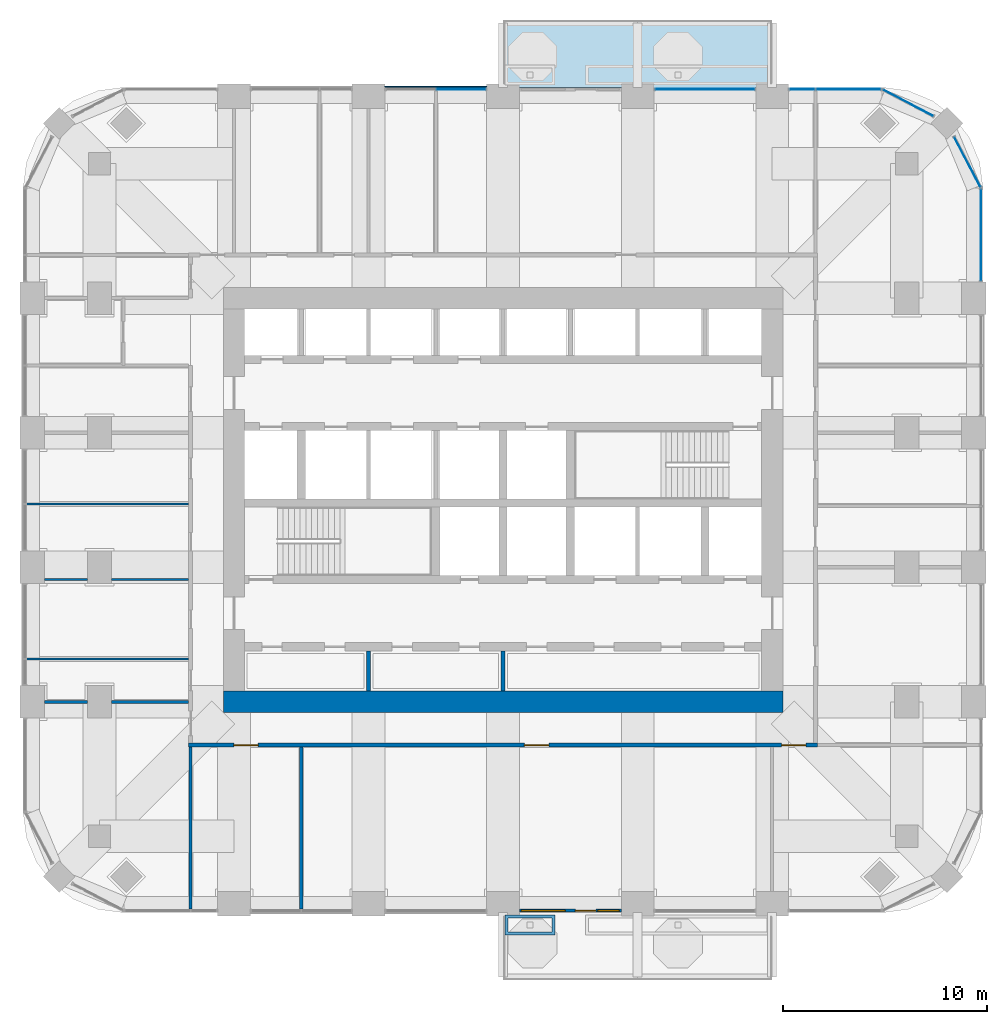
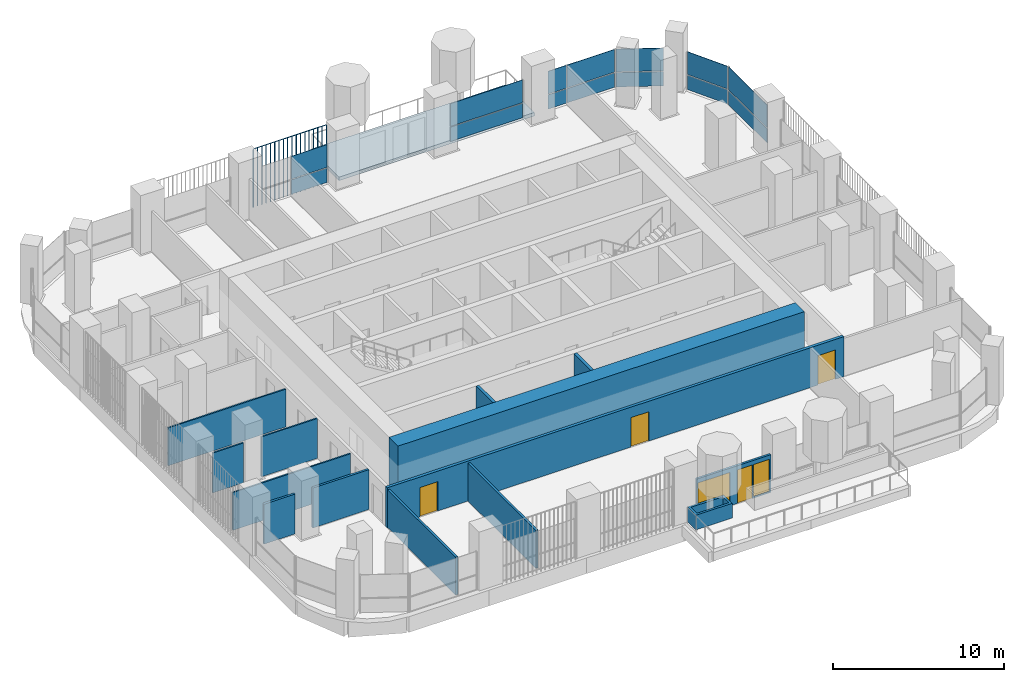
# One storey, part 12 of 19: 15 plates, 14 walls, 4 doors, 2 windows, 1 slab, 6 openings, 6 elements without a shape of their own.
"""IFC4 building model written with IfcOpenShell, lengths in metres."""

from ifc_helpers import new_model, si_unit, direction, frame, frame_2d, origin, origin_2d, place, context, subcontext, project, spatial, polyline, rectangle, outline, extrude, material, layer, layer_set, type_object, element, fill, aggregate, save


model = new_model("IFC4")

# Units and contexts
model_context = context("Model", 3, precision=1e-05, world=origin(), true_north=direction((0.0, 1.0)))
body_context = subcontext(model_context, "Body", "Model", "MODEL_VIEW")
ifc_project = project(units=[si_unit("LENGTHUNIT", "METRE"), si_unit("AREAUNIT", "SQUARE_METRE"), si_unit("VOLUMEUNIT", "CUBIC_METRE"), si_unit("PLANEANGLEUNIT", "RADIAN"), si_unit("MASSUNIT", "GRAM", prefix="KILO")], contexts=[model_context])

# Site, building, storey
site_placement = place(None, origin())
site = spatial("IfcSite", under=ifc_project, at=site_placement, CompositionType="ELEMENT")
building_placement = place(site_placement, origin())
building = spatial("IfcBuilding", under=site, at=building_placement, Name="Cobogo Forest Laboratory Tower", CompositionType="ELEMENT")
storey_placement = place(building_placement, frame((0.0, 0.0, 206.10009765625)))
storey = spatial("IfcBuildingStorey", under=building, at=storey_placement, Name="L47", CompositionType="ELEMENT", Elevation=206.10009765625)

# Slab
ifc_material_1 = material(Name="Concrete HA-40 (C40/50)", Category="concrete")
ifc_layer_1 = layer(ifc_material_1, 0.25)
ifc_layer_set_1 = layer_set([ifc_layer_1], Name="Balcony slab 250")
slab_type = type_object("IfcSlabType", Name="Balcony slab 250", PredefinedType="FLOOR", material=ifc_layer_set_1)
slab_placement = place(storey_placement, frame((0.0, 0.0, -0.25)))
element("IfcSlab", 1, at=slab_placement, inside=storey, type_object=slab_type, Name="Balcony BAL-N1 L47", PredefinedType="FLOOR", context=body_context, shape_type="SweptSolid", body=[
    extrude(outline(polyline([(26.39990234375, 43.35009765625), (39.60009765625, 43.35009765625), (39.60009765625, 46.64990234375), (26.39990234375, 46.64990234375), (26.39990234375, 43.35009765625)])), origin(), (0.0, 0.0, 1.0), 0.25),
])

# Curtain wall, plates
ifc_material_2 = material(Name="Aluminium curtain wall", Category="aluminium")
curtain_wall_type = type_object("IfcCurtainWallType", Name="CW-2 unitised curtain wall, solar control glazing, laboratory floors zones C and D", PredefinedType="USERDEFINED", material=ifc_material_2)
curtain_wall_1_placement = place(storey_placement, origin())
curtain_wall_1 = element("IfcCurtainWall", 2, at=curtain_wall_1_placement, inside=storey, type_object=curtain_wall_type, Name="Curtain wall 13 L47", ObjectType="UNITISED CURTAIN WALL", PredefinedType="USERDEFINED")
ifc_material_3 = material(Name="Solar control insulated glass", Category="glass")
ifc_layer_2 = layer(ifc_material_3, 0.031982421875)
ifc_layer_set_2 = layer_set([ifc_layer_2], Name="GP-2 solar control glass unit 32")
plate_type_1 = type_object("IfcPlateType", Name="GP-2 solar control glass unit 32", PredefinedType="CURTAIN_PANEL", material=ifc_layer_set_2)
plate_1_placement = place(storey_placement, frame((49.85009765625, 36.10009765625, 0.0), z_axis=(0.0, 0.0, 1.0), x_axis=(0.0, 1.0, 0.0)))
plate_1 = element("IfcPlate", 3, at=plate_1_placement, type_object=plate_type_1, Name="CW-2 panel 1.1", PredefinedType="CURTAIN_PANEL", context=body_context, shape_type="SweptSolid", body=[
    extrude(rectangle(XDim=4.47998046875, YDim=0.031982421875, at=origin_2d()), origin(), (0.0, 0.0, 1.0), 1.02001953125),
])
plate_2_placement = place(storey_placement, frame((49.85009765625, 36.10009765625, 1.079833984375), z_axis=(0.0, 0.0, 1.0), x_axis=(0.0, 1.0, 0.0)))
plate_2 = element("IfcPlate", 4, at=plate_2_placement, type_object=plate_type_1, Name="CW-2 panel 1.2", PredefinedType="CURTAIN_PANEL", context=body_context, shape_type="SweptSolid", body=[
    extrude(rectangle(XDim=4.47998046875, YDim=0.031982421875, at=origin_2d()), origin(), (0.0, 0.0, 1.0), 1.6201171875),
])
aggregate(curtain_wall_1, [plate_1, plate_2])

curtain_wall_2_placement = place(storey_placement, origin())
curtain_wall_2 = element("IfcCurtainWall", 5, at=curtain_wall_2_placement, inside=storey, type_object=curtain_wall_type, Name="Curtain wall 14 L47", ObjectType="UNITISED CURTAIN WALL", PredefinedType="USERDEFINED")
plate_3_placement = place(storey_placement, frame((49.181396484375, 39.675537109375, 0.0), z_axis=(0.0, 0.0, 1.0), x_axis=(-0.464283804832, 0.885686484356, 0.0)))
plate_3 = element("IfcPlate", 6, at=plate_3_placement, type_object=plate_type_1, Name="CW-2 panel 1.1", PredefinedType="CURTAIN_PANEL", context=body_context, shape_type="SweptSolid", body=[
    extrude(rectangle(XDim=2.76025390625, YDim=0.031982421875, at=origin_2d()), origin(), (0.0, 0.0, 1.0), 1.02001953125),
])
plate_4_placement = place(storey_placement, frame((49.181396484375, 39.675537109375, 1.079833984375), z_axis=(0.0, 0.0, 1.0), x_axis=(-0.464283804832, 0.885686484356, 0.0)))
plate_4 = element("IfcPlate", 7, at=plate_4_placement, type_object=plate_type_1, Name="CW-2 panel 1.2", PredefinedType="CURTAIN_PANEL", context=body_context, shape_type="SweptSolid", body=[
    extrude(rectangle(XDim=2.76025390625, YDim=0.031982421875, at=origin_2d()), origin(), (0.0, 0.0, 1.0), 1.6201171875),
])
aggregate(curtain_wall_2, [plate_3, plate_4])

curtain_wall_3_placement = place(storey_placement, origin())
curtain_wall_3 = element("IfcCurtainWall", 8, at=curtain_wall_3_placement, inside=storey, type_object=curtain_wall_type, Name="Curtain wall 15 L47", ObjectType="UNITISED CURTAIN WALL", PredefinedType="USERDEFINED")
plate_5_placement = place(storey_placement, frame((46.275634765625, 42.581298828125, 0.0), z_axis=(0.0, 0.0, 1.0), x_axis=(-0.885686484356, 0.464283804832, 0.0)))
plate_5 = element("IfcPlate", 9, at=plate_5_placement, type_object=plate_type_1, Name="CW-2 panel 1.1", PredefinedType="CURTAIN_PANEL", context=body_context, shape_type="SweptSolid", body=[
    extrude(rectangle(XDim=2.76025390625, YDim=0.031982421875, at=origin_2d()), origin(), (0.0, 0.0, 1.0), 1.02001953125),
])
plate_6_placement = place(storey_placement, frame((46.275634765625, 42.581298828125, 1.079833984375), z_axis=(0.0, 0.0, 1.0), x_axis=(-0.885686484356, 0.464283804832, 0.0)))
plate_6 = element("IfcPlate", 10, at=plate_6_placement, type_object=plate_type_1, Name="CW-2 panel 1.2", PredefinedType="CURTAIN_PANEL", context=body_context, shape_type="SweptSolid", body=[
    extrude(rectangle(XDim=2.76025390625, YDim=0.031982421875, at=origin_2d()), origin(), (0.0, 0.0, 1.0), 1.6201171875),
])
aggregate(curtain_wall_3, [plate_5, plate_6])

curtain_wall_4_placement = place(storey_placement, origin())
curtain_wall_4 = element("IfcCurtainWall", 11, at=curtain_wall_4_placement, inside=storey, type_object=curtain_wall_type, Name="Curtain wall 16 L47", ObjectType="UNITISED CURTAIN WALL", PredefinedType="USERDEFINED")
plate_7_placement = place(storey_placement, frame((43.347412109375, 43.25, 0.0), z_axis=(0.0, 0.0, 1.0), x_axis=(-1.0, 0.0, 0.0)))
plate_7 = element("IfcPlate", 12, at=plate_7_placement, type_object=plate_type_1, Name="CW-2 panel 1.1", PredefinedType="CURTAIN_PANEL", context=body_context, shape_type="SweptSolid", body=[
    extrude(rectangle(XDim=3.18505859375, YDim=0.031982421875, at=origin_2d()), origin(), (0.0, 0.0, 1.0), 1.02001953125),
])
plate_8_placement = place(storey_placement, frame((43.347412109375, 43.25, 1.079833984375), z_axis=(0.0, 0.0, 1.0), x_axis=(-1.0, 0.0, 0.0)))
plate_8 = element("IfcPlate", 13, at=plate_8_placement, type_object=plate_type_1, Name="CW-2 panel 1.2", PredefinedType="CURTAIN_PANEL", context=body_context, shape_type="SweptSolid", body=[
    extrude(rectangle(XDim=3.18505859375, YDim=0.031982421875, at=origin_2d()), origin(), (0.0, 0.0, 1.0), 1.6201171875),
])
plate_9_placement = place(storey_placement, frame((41.077392578125, 43.25, 0.0), z_axis=(0.0, 0.0, 1.0), x_axis=(-1.0, 0.0, 0.0)))
plate_9 = element("IfcPlate", 14, at=plate_9_placement, type_object=plate_type_1, Name="CW-2 panel 2.1", PredefinedType="CURTAIN_PANEL", context=body_context, shape_type="SweptSolid", body=[
    extrude(rectangle(XDim=1.235107421875, YDim=0.031982421875, at=origin_2d()), origin(), (0.0, 0.0, 1.0), 1.02001953125),
])
plate_10_placement = place(storey_placement, frame((41.077392578125, 43.25, 1.079833984375), z_axis=(0.0, 0.0, 1.0), x_axis=(-1.0, 0.0, 0.0)))
plate_10 = element("IfcPlate", 15, at=plate_10_placement, type_object=plate_type_1, Name="CW-2 panel 2.2", PredefinedType="CURTAIN_PANEL", context=body_context, shape_type="SweptSolid", body=[
    extrude(rectangle(XDim=1.235107421875, YDim=0.031982421875, at=origin_2d()), origin(), (0.0, 0.0, 1.0), 1.6201171875),
])
aggregate(curtain_wall_4, [plate_7, plate_8, plate_9, plate_10])

curtain_wall_5_placement = place(storey_placement, origin())
curtain_wall_5 = element("IfcCurtainWall", 16, at=curtain_wall_5_placement, inside=storey, type_object=curtain_wall_type, Name="Curtain wall 17 L47", ObjectType="UNITISED CURTAIN WALL", PredefinedType="USERDEFINED")
plate_11_placement = place(storey_placement, frame((36.300048828125, 43.25, 0.0), z_axis=(0.0, 0.0, 1.0), x_axis=(-1.0, 0.0, 0.0)))
plate_11 = element("IfcPlate", 17, at=plate_11_placement, type_object=plate_type_1, Name="CW-2 panel 1.1", PredefinedType="CURTAIN_PANEL", context=body_context, shape_type="SweptSolid", body=[
    extrude(rectangle(XDim=4.8798828125, YDim=0.031982421875, at=origin_2d()), origin(), (0.0, 0.0, 1.0), 1.02001953125),
])
plate_12_placement = place(storey_placement, frame((36.300048828125, 43.25, 1.079833984375), z_axis=(0.0, 0.0, 1.0), x_axis=(-1.0, 0.0, 0.0)))
plate_12 = element("IfcPlate", 18, at=plate_12_placement, type_object=plate_type_1, Name="CW-2 panel 1.2", PredefinedType="CURTAIN_PANEL", context=body_context, shape_type="SweptSolid", body=[
    extrude(rectangle(XDim=4.8798828125, YDim=0.031982421875, at=origin_2d()), origin(), (0.0, 0.0, 1.0), 1.6201171875),
])
aggregate(curtain_wall_5, [plate_11, plate_12])

curtain_wall_6_placement = place(storey_placement, origin())
curtain_wall_6 = element("IfcCurtainWall", 19, at=curtain_wall_6_placement, inside=storey, type_object=curtain_wall_type, Name="Curtain wall 19 L47", ObjectType="UNITISED CURTAIN WALL", PredefinedType="USERDEFINED")
plate_13_placement = place(storey_placement, frame((24.3349609375, 43.25, 0.0), z_axis=(0.0, 0.0, 1.0), x_axis=(-1.0, 0.0, 0.0)))
plate_13 = element("IfcPlate", 20, at=plate_13_placement, type_object=plate_type_1, Name="CW-2 panel 1.1", PredefinedType="CURTAIN_PANEL", context=body_context, shape_type="SweptSolid", body=[
    extrude(rectangle(XDim=2.409912109375, YDim=0.031982421875, at=origin_2d()), origin(), (0.0, 0.0, 1.0), 1.02001953125),
])
plate_14_placement = place(storey_placement, frame((24.3349609375, 43.25, 1.079833984375), z_axis=(0.0, 0.0, 1.0), x_axis=(-1.0, 0.0, 0.0)))
plate_14 = element("IfcPlate", 21, at=plate_14_placement, type_object=plate_type_1, Name="CW-2 panel 1.2", PredefinedType="CURTAIN_PANEL", context=body_context, shape_type="SweptSolid", body=[
    extrude(rectangle(XDim=2.409912109375, YDim=0.031982421875, at=origin_2d()), origin(), (0.0, 0.0, 1.0), 1.6201171875),
])
aggregate(curtain_wall_6, [plate_13, plate_14])

# Plate
ifc_material_4 = material(Name="Terracotta", Category="masonry")
plate_type_2 = type_object("IfcPlateType", Name="TB1 terracotta baguette screen", PredefinedType="USERDEFINED", material=ifc_material_4)
plate_15_placement = place(storey_placement, frame((20.63134765625, 43.3779296875, -0.150146484375)))
element("IfcPlate", 22, at=plate_15_placement, inside=storey, type_object=plate_type_2, Name="Baguette screen N2 L47", ObjectType="BAGUETTE SCREEN", PredefinedType="USERDEFINED", context=body_context, shape_type="SweptSolid", body=[
    extrude(outline(polyline([(0.02880859375, 0.011962890625), (0.011962890625, 0.02880859375), (-0.011962890625, 0.02880859375), (-0.02880859375, 0.011962890625), (-0.02880859375, -0.011962890625), (-0.011962890625, -0.02880859375), (0.011962890625, -0.02880859375), (0.02880859375, -0.011962890625), (0.02880859375, 0.011962890625)])), frame((0.0, 0.0, 4.168701171875), z_axis=(1.0, 0.0, 0.0), x_axis=(0.0, 1.0, 0.0)), (0.0, 0.0, 1.0), 4.9375),
    extrude(outline(polyline([(0.02880859375, 0.011962890625), (0.011962890625, 0.02880859375), (-0.011962890625, 0.02880859375), (-0.02880859375, 0.011962890625), (-0.02880859375, -0.011962890625), (-0.011962890625, -0.02880859375), (0.011962890625, -0.02880859375), (0.02880859375, -0.011962890625), (0.02880859375, 0.011962890625)])), origin(), (0.0, 0.0, 1.0), 4.137451171875),
    extrude(outline(polyline([(0.02880859375, 0.011962890625), (0.011962890625, 0.02880859375), (-0.011962890625, 0.02880859375), (-0.02880859375, 0.011962890625), (-0.02880859375, -0.011962890625), (-0.011962890625, -0.02880859375), (0.011962890625, -0.02880859375), (0.02880859375, -0.011962890625), (0.02880859375, 0.011962890625)])), frame((0.29052734375, 0.0, 0.0)), (0.0, 0.0, 1.0), 4.137451171875),
    extrude(outline(polyline([(0.02880859375, 0.011962890625), (0.011962890625, 0.02880859375), (-0.011962890625, 0.02880859375), (-0.02880859375, 0.011962890625), (-0.02880859375, -0.011962890625), (-0.011962890625, -0.02880859375), (0.011962890625, -0.02880859375), (0.02880859375, -0.011962890625), (0.02880859375, 0.011962890625)])), frame((0.580810546875, 0.0, 0.0)), (0.0, 0.0, 1.0), 4.137451171875),
    extrude(outline(polyline([(0.02880859375, 0.011962890625), (0.011962890625, 0.02880859375), (-0.011962890625, 0.02880859375), (-0.02880859375, 0.011962890625), (-0.02880859375, -0.011962890625), (-0.011962890625, -0.02880859375), (0.011962890625, -0.02880859375), (0.02880859375, -0.011962890625), (0.02880859375, 0.011962890625)])), frame((0.871337890625, 0.0, 0.0)), (0.0, 0.0, 1.0), 4.137451171875),
    extrude(outline(polyline([(0.02880859375, 0.011962890625), (0.011962890625, 0.02880859375), (-0.011962890625, 0.02880859375), (-0.02880859375, 0.011962890625), (-0.02880859375, -0.011962890625), (-0.011962890625, -0.02880859375), (0.011962890625, -0.02880859375), (0.02880859375, -0.011962890625), (0.02880859375, 0.011962890625)])), frame((1.161865234375, 0.0, 0.0)), (0.0, 0.0, 1.0), 4.137451171875),
    extrude(outline(polyline([(0.02880859375, 0.011962890625), (0.011962890625, 0.02880859375), (-0.011962890625, 0.02880859375), (-0.02880859375, 0.011962890625), (-0.02880859375, -0.011962890625), (-0.011962890625, -0.02880859375), (0.011962890625, -0.02880859375), (0.02880859375, -0.011962890625), (0.02880859375, 0.011962890625)])), frame((1.4521484375, 0.0, 0.0)), (0.0, 0.0, 1.0), 4.137451171875),
    extrude(outline(polyline([(0.02880859375, 0.011962890625), (0.011962890625, 0.02880859375), (-0.011962890625, 0.02880859375), (-0.02880859375, 0.011962890625), (-0.02880859375, -0.011962890625), (-0.011962890625, -0.02880859375), (0.011962890625, -0.02880859375), (0.02880859375, -0.011962890625), (0.02880859375, 0.011962890625)])), frame((1.74267578125, 0.0, 0.0)), (0.0, 0.0, 1.0), 4.137451171875),
    extrude(outline(polyline([(0.02880859375, 0.011962890625), (0.011962890625, 0.02880859375), (-0.011962890625, 0.02880859375), (-0.02880859375, 0.011962890625), (-0.02880859375, -0.011962890625), (-0.011962890625, -0.02880859375), (0.011962890625, -0.02880859375), (0.02880859375, -0.011962890625), (0.02880859375, 0.011962890625)])), frame((2.033203125, 0.0, 0.0)), (0.0, 0.0, 1.0), 4.137451171875),
    extrude(outline(polyline([(0.02880859375, 0.011962890625), (0.011962890625, 0.02880859375), (-0.011962890625, 0.02880859375), (-0.02880859375, 0.011962890625), (-0.02880859375, -0.011962890625), (-0.011962890625, -0.02880859375), (0.011962890625, -0.02880859375), (0.02880859375, -0.011962890625), (0.02880859375, 0.011962890625)])), frame((2.323486328125, 0.0, 0.0)), (0.0, 0.0, 1.0), 4.137451171875),
    extrude(outline(polyline([(0.02880859375, 0.011962890625), (0.011962890625, 0.02880859375), (-0.011962890625, 0.02880859375), (-0.02880859375, 0.011962890625), (-0.02880859375, -0.011962890625), (-0.011962890625, -0.02880859375), (0.011962890625, -0.02880859375), (0.02880859375, -0.011962890625), (0.02880859375, 0.011962890625)])), frame((2.614013671875, 0.0, 0.0)), (0.0, 0.0, 1.0), 4.137451171875),
    extrude(outline(polyline([(0.02880859375, 0.011962890625), (0.011962890625, 0.02880859375), (-0.011962890625, 0.02880859375), (-0.02880859375, 0.011962890625), (-0.02880859375, -0.011962890625), (-0.011962890625, -0.02880859375), (0.011962890625, -0.02880859375), (0.02880859375, -0.011962890625), (0.02880859375, 0.011962890625)])), frame((2.904296875, 0.0, 0.0)), (0.0, 0.0, 1.0), 4.137451171875),
    extrude(outline(polyline([(0.02880859375, 0.011962890625), (0.011962890625, 0.02880859375), (-0.011962890625, 0.02880859375), (-0.02880859375, 0.011962890625), (-0.02880859375, -0.011962890625), (-0.011962890625, -0.02880859375), (0.011962890625, -0.02880859375), (0.02880859375, -0.011962890625), (0.02880859375, 0.011962890625)])), frame((3.19482421875, 0.0, 0.0)), (0.0, 0.0, 1.0), 4.137451171875),
    extrude(outline(polyline([(0.02880859375, 0.011962890625), (0.011962890625, 0.02880859375), (-0.011962890625, 0.02880859375), (-0.02880859375, 0.011962890625), (-0.02880859375, -0.011962890625), (-0.011962890625, -0.02880859375), (0.011962890625, -0.02880859375), (0.02880859375, -0.011962890625), (0.02880859375, 0.011962890625)])), frame((3.4853515625, 0.0, 0.0)), (0.0, 0.0, 1.0), 4.137451171875),
    extrude(outline(polyline([(0.02880859375, 0.011962890625), (0.011962890625, 0.02880859375), (-0.011962890625, 0.02880859375), (-0.02880859375, 0.011962890625), (-0.02880859375, -0.011962890625), (-0.011962890625, -0.02880859375), (0.011962890625, -0.02880859375), (0.02880859375, -0.011962890625), (0.02880859375, 0.011962890625)])), frame((3.775634765625, 0.0, 0.0)), (0.0, 0.0, 1.0), 4.137451171875),
    extrude(outline(polyline([(0.02880859375, 0.011962890625), (0.011962890625, 0.02880859375), (-0.011962890625, 0.02880859375), (-0.02880859375, 0.011962890625), (-0.02880859375, -0.011962890625), (-0.011962890625, -0.02880859375), (0.011962890625, -0.02880859375), (0.02880859375, -0.011962890625), (0.02880859375, 0.011962890625)])), frame((4.066162109375, 0.0, 0.0)), (0.0, 0.0, 1.0), 4.137451171875),
    extrude(outline(polyline([(0.02880859375, 0.011962890625), (0.011962890625, 0.02880859375), (-0.011962890625, 0.02880859375), (-0.02880859375, 0.011962890625), (-0.02880859375, -0.011962890625), (-0.011962890625, -0.02880859375), (0.011962890625, -0.02880859375), (0.02880859375, -0.011962890625), (0.02880859375, 0.011962890625)])), frame((4.356689453125, 0.0, 0.0)), (0.0, 0.0, 1.0), 4.137451171875),
    extrude(outline(polyline([(0.02880859375, 0.011962890625), (0.011962890625, 0.02880859375), (-0.011962890625, 0.02880859375), (-0.02880859375, 0.011962890625), (-0.02880859375, -0.011962890625), (-0.011962890625, -0.02880859375), (0.011962890625, -0.02880859375), (0.02880859375, -0.011962890625), (0.02880859375, 0.011962890625)])), frame((4.64697265625, 0.0, 0.0)), (0.0, 0.0, 1.0), 4.137451171875),
    extrude(outline(polyline([(0.02880859375, 0.011962890625), (0.011962890625, 0.02880859375), (-0.011962890625, 0.02880859375), (-0.02880859375, 0.011962890625), (-0.02880859375, -0.011962890625), (-0.011962890625, -0.02880859375), (0.011962890625, -0.02880859375), (0.02880859375, -0.011962890625), (0.02880859375, 0.011962890625)])), frame((4.9375, 0.0, 0.0)), (0.0, 0.0, 1.0), 4.137451171875),
])

# Wall
ifc_material_5 = material(Name="Concrete HA-50 (C50/60)", Category="concrete")
ifc_layer_3 = layer(ifc_material_5, 1.050048828125)
ifc_layer_set_3 = layer_set([ifc_layer_3], Name="CW1050 core outer wall 1050")
wall_type_1 = type_object("IfcWallType", Name="CW1050 core outer wall 1050", PredefinedType="SHEAR", material=ifc_layer_set_3)
wall_1_placement = place(storey_placement, frame((12.675048828125, 13.199951171875, 0.0), z_axis=(0.0, 0.0, 1.0), x_axis=(1.0, 0.0, 0.0)))
element("IfcWall", 23, at=wall_1_placement, inside=storey, type_object=wall_type_1, Name="Core wall CO-S L47", PredefinedType="SHEAR", context=body_context, shape_type="SweptSolid", body=[
    extrude(rectangle(XDim=27.449951171875, YDim=1.050048828125, at=frame_2d((13.72509765625, 0.0))), origin(), (0.0, 0.0, 1.0), 4.199951171875),
])

# Wall, openings, door, windows
ifc_material_6 = material(Name="Aluminium framed glazed screen", Category="aluminium")
ifc_layer_4 = layer(ifc_material_6, 0.14990234375)
ifc_layer_set_4 = layer_set([ifc_layer_4], Name="GS1 glazed door screen 150")
wall_type_2 = type_object("IfcWallType", Name="GS1 glazed door screen 150", PredefinedType="SOLIDWALL", material=ifc_layer_set_4)
wall_2_placement = place(storey_placement, frame((27.199951171875, 2.949951171875, 0.0), z_axis=(0.0, 0.0, 1.0), x_axis=(1.0, 0.0, 0.0)))
wall_2 = element("IfcWall", 24, at=wall_2_placement, inside=storey, type_object=wall_type_2, Name="Door screen BAL-S1 L47", PredefinedType="SOLIDWALL", context=body_context, shape_type="SweptSolid", body=[
    extrude(rectangle(XDim=5.0, YDim=0.14990234375, at=frame_2d((2.5, 0.0))), origin(), (0.0, 0.0, 1.0), 2.699951171875),
])
opening_1_placement = place(wall_2_placement, frame((2.75, 0.0, 0.0)))
opening_1 = element("IfcOpeningElement", 25, at=opening_1_placement, cuts=wall_2, Name="Opening L47-D01", PredefinedType="OPENING", context=body_context, shape_type="SweptSolid", body=[
    extrude(rectangle(XDim=1.0, YDim=2.39990234375, at=frame_2d((0.5, 1.199951171875))), frame((0.0, 0.0849609375, 0.0), z_axis=(0.0, -1.0, 0.0), x_axis=(1.0, 0.0, 0.0)), (0.0, 0.0, 1.0), 0.169921875),
])
opening_2_placement = place(wall_2_placement, frame((0.10009765625, 0.0, 0.10009765625)))
opening_2 = element("IfcOpeningElement", 26, at=opening_2_placement, cuts=wall_2, Name="Opening L47-W01", PredefinedType="OPENING", context=body_context, shape_type="SweptSolid", body=[
    extrude(rectangle(XDim=2.14990234375, YDim=2.300048828125, at=frame_2d((1.074951171875, 1.14990234375))), frame((0.0, 0.0849609375, 0.0), z_axis=(0.0, -1.0, 0.0), x_axis=(1.0, 0.0, 0.0)), (0.0, 0.0, 1.0), 0.169921875),
])
opening_3_placement = place(wall_2_placement, frame((3.85009765625, 0.0, 0.10009765625)))
opening_3 = element("IfcOpeningElement", 27, at=opening_3_placement, cuts=wall_2, Name="Opening L47-W02", PredefinedType="OPENING", context=body_context, shape_type="SweptSolid", body=[
    extrude(rectangle(XDim=1.050048828125, YDim=2.300048828125, at=frame_2d((0.52490234375, 1.14990234375))), frame((0.0, 0.0849609375, 0.0), z_axis=(0.0, -1.0, 0.0), x_axis=(1.0, 0.0, 0.0)), (0.0, 0.0, 1.0), 0.169921875),
])
ifc_material_7 = material(Name="Aluminium glazed door", Category="aluminium")
door_type_1 = type_object("IfcDoorType", Name="DB1 balcony door 1000 glazed", OperationType="SINGLE_SWING_LEFT", PredefinedType="DOOR", material=ifc_material_7)
door_1_placement = place(opening_1_placement, origin())
door_1 = element("IfcDoor", 28, at=door_1_placement, inside=storey, type_object=door_type_1, Name="Door L47-BAL-S1", OperationType="SINGLE_SWING_RIGHT", OverallHeight=2.39990234375, OverallWidth=1.0, PredefinedType="DOOR", context=body_context, shape_type="SweptSolid", body=[
    extrude(rectangle(XDim=1.0, YDim=2.39990234375, at=frame_2d((0.5, 1.199951171875))), frame((0.0, 0.02490234375, 0.0), z_axis=(0.0, -1.0, 0.0), x_axis=(1.0, 0.0, 0.0)), (0.0, 0.0, 1.0), 0.050048828125),
])
fill(opening_1, door_1)
ifc_material_8 = material(Name="Aluminium framed glazing", Category="aluminium")
window_type_1 = type_object("IfcWindowType", Name="WG13 fixed glazed light 2150x2300", PartitioningType="SINGLE_PANEL", PredefinedType="WINDOW", material=ifc_material_8)
window_1_placement = place(opening_2_placement, origin())
window_1 = element("IfcWindow", 29, at=window_1_placement, inside=storey, type_object=window_type_1, Name="Window L47-BAL-S1-1", OverallHeight=2.300048828125, OverallWidth=2.14990234375, PartitioningType="SINGLE_PANEL", PredefinedType="WINDOW", context=body_context, shape_type="SweptSolid", body=[
    extrude(rectangle(XDim=2.14990234375, YDim=2.300048828125, at=frame_2d((1.074951171875, 1.14990234375))), frame((0.0, 0.030029296875, 0.0), z_axis=(0.0, -1.0, 0.0), x_axis=(1.0, 0.0, 0.0)), (0.0, 0.0, 1.0), 0.06005859375),
])
fill(opening_2, window_1)
window_type_2 = type_object("IfcWindowType", Name="WG14 fixed glazed light 1050x2300", PartitioningType="SINGLE_PANEL", PredefinedType="WINDOW", material=ifc_material_8)
window_2_placement = place(opening_3_placement, origin())
window_2 = element("IfcWindow", 30, at=window_2_placement, inside=storey, type_object=window_type_2, Name="Window L47-BAL-S1-2", OverallHeight=2.300048828125, OverallWidth=1.050048828125, PartitioningType="SINGLE_PANEL", PredefinedType="WINDOW", context=body_context, shape_type="SweptSolid", body=[
    extrude(rectangle(XDim=1.050048828125, YDim=2.300048828125, at=frame_2d((0.52490234375, 1.14990234375))), frame((0.0, 0.030029296875, 0.0), z_axis=(0.0, -1.0, 0.0), x_axis=(1.0, 0.0, 0.0)), (0.0, 0.0, 1.0), 0.06005859375),
])
fill(opening_3, window_2)

# Walls
ifc_material_9 = material(Name="Gypsum board on steel studs", Category="steel")
ifc_layer_5 = layer(ifc_material_9, 0.14990234375)
ifc_layer_set_5 = layer_set([ifc_layer_5], Name="PT1 laboratory partition 150")
wall_type_3 = type_object("IfcWallType", Name="PT1 laboratory partition 150", PredefinedType="PARTITIONING", material=ifc_layer_set_5)
for number, where, z_axis, x_axis, name in (
    (31, (11.074951171875, 3.030029296875, 0.0), (0.0, 0.0, 1.0), (0.0, 1.0, 0.0), "Partition PW-SW L47"),
    (32, (16.5, 3.030029296875, 0.0), (0.0, 0.0, 1.0), (0.0, 1.0, 0.0), "Partition CUT-S16.5-1 L47"),
):
    element("IfcWall", number, at=place(storey_placement, frame(where, z_axis=z_axis, x_axis=x_axis)), inside=storey, type_object=wall_type_3, Name=name, PredefinedType="PARTITIONING", context=body_context, shape_type="SweptSolid", body=[
        extrude(rectangle(XDim=7.945068359375, YDim=0.14990234375, at=frame_2d((3.97265625, 0.0))), origin(), (0.0, 0.0, 1.0), 2.699951171875),
    ])
wall_3_placement = place(storey_placement, frame((3.89990234375, 13.199951171875, 0.0), z_axis=(0.0, 0.0, 1.0), x_axis=(1.0, 0.0, 0.0)))
element("IfcWall", 33, at=wall_3_placement, inside=storey, type_object=wall_type_3, Name="Partition CUT-W13.2-1 L47", PredefinedType="PARTITIONING", context=body_context, shape_type="SweptSolid", body=[
    extrude(rectangle(XDim=2.10009765625, YDim=0.14990234375, at=frame_2d((1.050048828125, 0.0))), origin(), (0.0, 0.0, 1.0), 2.849853515625),
])
wall_4_placement = place(storey_placement, frame((7.199951171875, 13.199951171875, 0.0), z_axis=(0.0, 0.0, 1.0), x_axis=(1.0, 0.0, 0.0)))
element("IfcWall", 34, at=wall_4_placement, inside=storey, type_object=wall_type_3, Name="Partition CUT-W13.2-2 L47", PredefinedType="PARTITIONING", context=body_context, shape_type="SweptSolid", body=[
    extrude(rectangle(XDim=3.775146484375, YDim=0.14990234375, at=frame_2d((1.8876953125, 0.0))), origin(), (0.0, 0.0, 1.0), 2.849853515625),
])

# Wall, openings, doors
ifc_layer_6 = layer(ifc_material_9, 0.199951171875)
ifc_layer_set_6 = layer_set([ifc_layer_6], Name="PT2 fire-rated corridor partition 200")
wall_type_4 = type_object("IfcWallType", Name="PT2 fire-rated corridor partition 200", PredefinedType="PARTITIONING", material=ifc_layer_set_6)
wall_5_placement = place(storey_placement, frame((10.97509765625, 11.074951171875, 0.0), z_axis=(0.0, 0.0, 1.0), x_axis=(1.0, 0.0, 0.0)))
wall_5 = element("IfcWall", 35, at=wall_5_placement, inside=storey, type_object=wall_type_4, Name="Partition CORR-S L47", PredefinedType="PARTITIONING", context=body_context, shape_type="SweptSolid", body=[
    extrude(rectangle(XDim=30.849853515625, YDim=0.199951171875, at=frame_2d((15.4248046875, 0.0))), origin(), (0.0, 0.0, 1.0), 2.849853515625),
])
opening_4_placement = place(wall_5_placement, frame((2.21240234375, 0.0, 0.0)))
opening_4 = element("IfcOpeningElement", 36, at=opening_4_placement, cuts=wall_5, Name="Opening L47-D02", PredefinedType="OPENING", context=body_context, shape_type="SweptSolid", body=[
    extrude(rectangle(XDim=1.199951171875, YDim=2.10009765625, at=frame_2d((0.60009765625, 1.050048828125))), frame((0.0, 0.10986328125, 0.0), z_axis=(0.0, -1.0, 0.0), x_axis=(1.0, 0.0, 0.0)), (0.0, 0.0, 1.0), 0.219970703125),
])
opening_5_placement = place(wall_5_placement, frame((16.47509765625, 0.0, 0.0)))
opening_5 = element("IfcOpeningElement", 37, at=opening_5_placement, cuts=wall_5, Name="Opening L47-D03", PredefinedType="OPENING", context=body_context, shape_type="SweptSolid", body=[
    extrude(rectangle(XDim=1.199951171875, YDim=2.10009765625, at=frame_2d((0.60009765625, 1.050048828125))), frame((0.0, 0.10986328125, 0.0), z_axis=(0.0, -1.0, 0.0), x_axis=(1.0, 0.0, 0.0)), (0.0, 0.0, 1.0), 0.219970703125),
])
opening_6_placement = place(wall_5_placement, frame((29.08740234375, 0.0, 0.0)))
opening_6 = element("IfcOpeningElement", 38, at=opening_6_placement, cuts=wall_5, Name="Opening L47-D04", PredefinedType="OPENING", context=body_context, shape_type="SweptSolid", body=[
    extrude(rectangle(XDim=1.199951171875, YDim=2.10009765625, at=frame_2d((0.60009765625, 1.050048828125))), frame((0.0, 0.10986328125, 0.0), z_axis=(0.0, -1.0, 0.0), x_axis=(1.0, 0.0, 0.0)), (0.0, 0.0, 1.0), 0.219970703125),
])
ifc_material_10 = material(Name="Timber door", Category="wood")
door_type_2 = type_object("IfcDoorType", Name="D2 laboratory door 1200 unequal pair", OperationType="DOUBLE_DOOR_SINGLE_SWING", PredefinedType="DOOR", material=ifc_material_10)
door_2_placement = place(opening_4_placement, origin())
door_2 = element("IfcDoor", 39, at=door_2_placement, inside=storey, type_object=door_type_2, Name="Door L47-S1", OperationType="DOUBLE_DOOR_SINGLE_SWING", OverallHeight=2.10009765625, OverallWidth=1.199951171875, PredefinedType="DOOR", context=body_context, shape_type="SweptSolid", body=[
    extrude(rectangle(XDim=1.199951171875, YDim=2.10009765625, at=frame_2d((0.60009765625, 1.050048828125))), frame((0.0, 0.02490234375, 0.0), z_axis=(0.0, -1.0, 0.0), x_axis=(1.0, 0.0, 0.0)), (0.0, 0.0, 1.0), 0.050048828125),
])
fill(opening_4, door_2)
door_3_placement = place(opening_5_placement, origin())
door_3 = element("IfcDoor", 40, at=door_3_placement, inside=storey, type_object=door_type_2, Name="Door L47-S2", OperationType="DOUBLE_DOOR_SINGLE_SWING", OverallHeight=2.10009765625, OverallWidth=1.199951171875, PredefinedType="DOOR", context=body_context, shape_type="SweptSolid", body=[
    extrude(rectangle(XDim=1.199951171875, YDim=2.10009765625, at=frame_2d((0.60009765625, 1.050048828125))), frame((0.0, 0.02490234375, 0.0), z_axis=(0.0, -1.0, 0.0), x_axis=(1.0, 0.0, 0.0)), (0.0, 0.0, 1.0), 0.050048828125),
])
fill(opening_5, door_3)
door_4_placement = place(opening_6_placement, origin())
door_4 = element("IfcDoor", 41, at=door_4_placement, inside=storey, type_object=door_type_2, Name="Door L47-S3", OperationType="DOUBLE_DOOR_SINGLE_SWING", OverallHeight=2.10009765625, OverallWidth=1.199951171875, PredefinedType="DOOR", context=body_context, shape_type="SweptSolid", body=[
    extrude(rectangle(XDim=1.199951171875, YDim=2.10009765625, at=frame_2d((0.60009765625, 1.050048828125))), frame((0.0, 0.02490234375, 0.0), z_axis=(0.0, -1.0, 0.0), x_axis=(1.0, 0.0, 0.0)), (0.0, 0.0, 1.0), 0.050048828125),
])
fill(opening_6, door_4)

# Walls
ifc_layer_7 = layer(ifc_material_9, 0.10009765625)
ifc_layer_set_7 = layer_set([ifc_layer_7], Name="PT3 toilet partition 100")
wall_type_5 = type_object("IfcWallType", Name="PT3 toilet partition 100", PredefinedType="PARTITIONING", material=ifc_layer_set_7)
wall_6_placement = place(storey_placement, frame((3.030029296875, 15.300048828125, 0.0), z_axis=(0.0, 0.0, 1.0), x_axis=(1.0, 0.0, 0.0)))
element("IfcWall", 42, at=wall_6_placement, inside=storey, type_object=wall_type_5, Name="Partition SVC-W1-1 L47", PredefinedType="PARTITIONING", context=body_context, shape_type="SweptSolid", body=[
    extrude(rectangle(XDim=7.945068359375, YDim=0.10009765625, at=frame_2d((3.97265625, 0.0))), origin(), (0.0, 0.0, 1.0), 2.699951171875),
])
wall_7_placement = place(storey_placement, frame((3.89990234375, 19.199951171875, 0.0), z_axis=(0.0, 0.0, 1.0), x_axis=(1.0, 0.0, 0.0)))
element("IfcWall", 43, at=wall_7_placement, inside=storey, type_object=wall_type_5, Name="Partition SVC-W2-1 L47", PredefinedType="PARTITIONING", context=body_context, shape_type="SweptSolid", body=[
    extrude(rectangle(XDim=2.10009765625, YDim=0.10009765625, at=frame_2d((1.050048828125, 0.0))), origin(), (0.0, 0.0, 1.0), 2.849853515625),
])
wall_8_placement = place(storey_placement, frame((7.199951171875, 19.199951171875, 0.0), z_axis=(0.0, 0.0, 1.0), x_axis=(1.0, 0.0, 0.0)))
element("IfcWall", 44, at=wall_8_placement, inside=storey, type_object=wall_type_5, Name="Partition SVC-W2-2 L47", PredefinedType="PARTITIONING", context=body_context, shape_type="SweptSolid", body=[
    extrude(rectangle(XDim=3.775146484375, YDim=0.10009765625, at=frame_2d((1.8876953125, 0.0))), origin(), (0.0, 0.0, 1.0), 2.849853515625),
])
wall_9_placement = place(storey_placement, frame((3.030029296875, 22.89990234375, 0.0), z_axis=(0.0, 0.0, 1.0), x_axis=(1.0, 0.0, 0.0)))
element("IfcWall", 45, at=wall_9_placement, inside=storey, type_object=wall_type_5, Name="Partition SVC-W3-1 L47", PredefinedType="PARTITIONING", context=body_context, shape_type="SweptSolid", body=[
    extrude(rectangle(XDim=7.945068359375, YDim=0.10009765625, at=frame_2d((3.97265625, 0.0))), origin(), (0.0, 0.0, 1.0), 2.699951171875),
])
ifc_layer_8 = layer(ifc_material_1, 0.14990234375)
ifc_layer_set_8 = layer_set([ifc_layer_8], Name="Planter box 1000x1050")
wall_type_6 = type_object("IfcWallType", Name="Planter box 1000x1050", PredefinedType="USERDEFINED", material=ifc_layer_set_8)
wall_10_placement = place(storey_placement, origin())
element("IfcWall", 46, at=wall_10_placement, inside=storey, type_object=wall_type_6, Name="Planter BAL-S1-1 L47", ObjectType="PLANTER", PredefinedType="USERDEFINED", context=body_context, shape_type="SweptSolid", body=[
    extrude(outline(polyline([(26.5, 1.75), (28.949951171875, 1.75), (28.949951171875, 2.75), (26.5, 2.75), (26.5, 1.75)]), holes=[polyline([(26.64990234375, 1.89990234375), (28.800048828125, 1.89990234375), (28.800048828125, 2.60009765625), (26.64990234375, 2.60009765625), (26.64990234375, 1.89990234375)])]), origin(), (0.0, 0.0, 1.0), 1.0498046875),
])
ifc_material_11 = material(Name="Concrete block", Category="concrete")
ifc_layer_9 = layer(ifc_material_11, 0.199951171875)
ifc_layer_set_9 = layer_set([ifc_layer_9], Name="SW200 lift shaft separator 200")
wall_type_7 = type_object("IfcWallType", Name="SW200 lift shaft separator 200", PredefinedType="PARTITIONING", material=ifc_layer_set_9)
for number, where, z_axis, x_axis, name in (
    (47, (19.800048828125, 13.72509765625, 0.0), (0.0, 0.0, 1.0), (0.0, 1.0, 0.0), "Core wall SEP-S2 L47"),
    (48, (26.39990234375, 13.72509765625, 0.0), (0.0, 0.0, 1.0), (0.0, 1.0, 0.0), "Core wall SEP-S4 L47"),
):
    element("IfcWall", number, at=place(storey_placement, frame(where, z_axis=z_axis, x_axis=x_axis)), inside=storey, type_object=wall_type_7, Name=name, PredefinedType="PARTITIONING", context=body_context, shape_type="SweptSolid", body=[
        extrude(rectangle(XDim=1.974853515625, YDim=0.199951171875, at=frame_2d((0.9873046875, 0.0))), origin(), (0.0, 0.0, 1.0), 4.199951171875),
    ])

save(model, "model.ifc")
